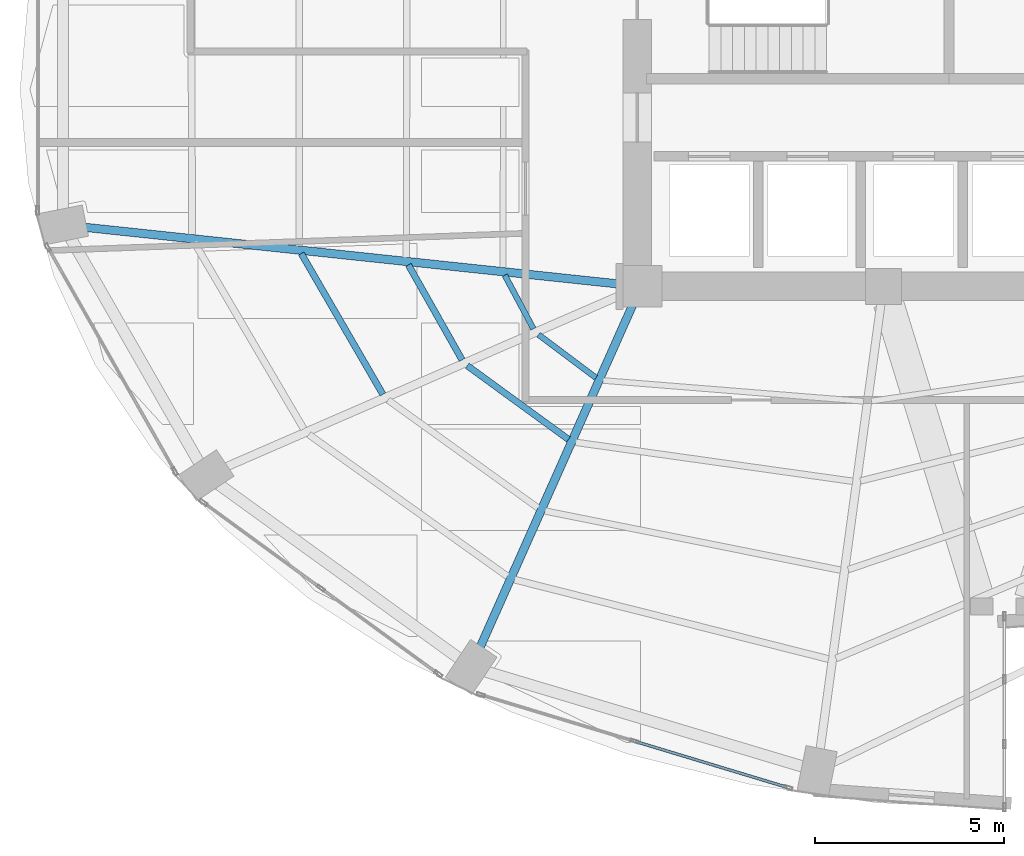
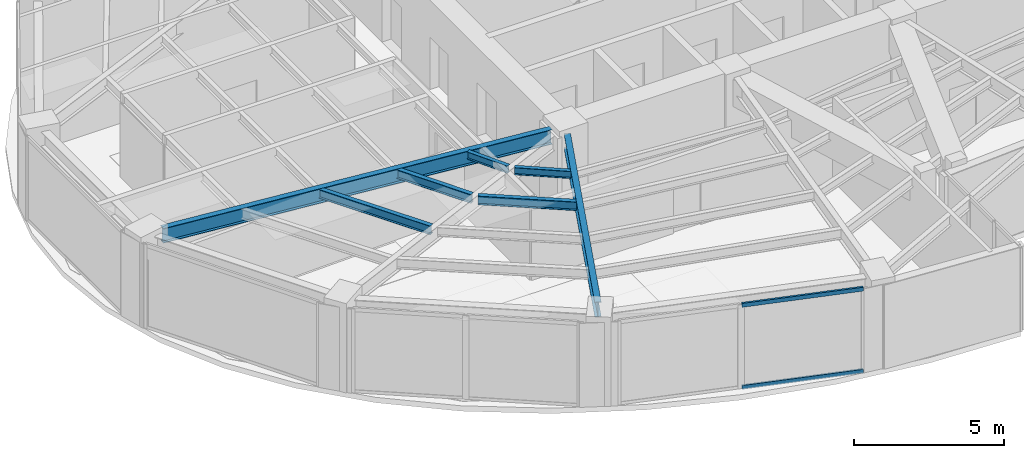
# One storey, part 4 of 24: 7 beams, 2 members, 1 element without a shape of its own.
"""IFC4 building model written with IfcOpenShell, lengths in metres."""

from ifc_helpers import new_model, si_unit, direction, frame, origin, origin_2d, place, context, subcontext, project, spatial, hollow_rectangle, i_section, extrude, material, layer, layer_set, material_profile, profile_set, type_object, element, aggregate, save


model = new_model("IFC4")

# Units and contexts
model_context = context("Model", 3, precision=1e-05, world=origin(), true_north=direction((0.0, 1.0)))
body_context = subcontext(model_context, "Body", "Model", "MODEL_VIEW")
ifc_project = project(units=[si_unit("LENGTHUNIT", "METRE"), si_unit("AREAUNIT", "SQUARE_METRE"), si_unit("VOLUMEUNIT", "CUBIC_METRE"), si_unit("PLANEANGLEUNIT", "RADIAN"), si_unit("MASSUNIT", "GRAM", prefix="KILO")], contexts=[model_context])

# Site, building, storey
site_placement = place(None, origin())
site = spatial("IfcSite", under=ifc_project, at=site_placement, CompositionType="ELEMENT")
building_placement = place(site_placement, origin())
building = spatial("IfcBuilding", under=site, at=building_placement, Name="Lazwardi Medical Tower", CompositionType="ELEMENT")
storey_placement = place(building_placement, frame((0.0, 0.0, 99.98388671875)))
storey = spatial("IfcBuildingStorey", under=building, at=storey_placement, Name="L25", CompositionType="ELEMENT", Elevation=99.98388671875)

# Beams
ifc_material_1 = material(Name="Steel S355", Category="steel")
ifc_material_profile_1 = material_profile(ifc_material_1, i_section(OverallWidth=0.219970703125, OverallDepth=0.60009765625, WebThickness=0.011962890625, FlangeThickness=0.01904296875, at=origin_2d()), Name="IPE 600")
ifc_profile_set_1 = profile_set([ifc_material_profile_1], Name="Steel S355")
beam_type_1 = type_object("IfcBeamType", Name="BM-RG-W1", PredefinedType="BEAM", material=ifc_profile_set_1)
beam_1_placement = place(storey_placement, frame((11.7138671875, 21.958984375, 3.128173828125), z_axis=(0.994413340753, -0.10555618282, 0.0), x_axis=(0.10555618282, 0.994413340753, 0.0)))
element("IfcBeam", 1, at=beam_1_placement, inside=storey, type_object=beam_type_1, Name="Radial girder RG-02 R13 L25", PredefinedType="BEAM", context=body_context, shape_type="SweptSolid", body=[
    extrude(i_section(OverallWidth=0.219970703125, OverallDepth=0.60009765625, WebThickness=0.011962890625, FlangeThickness=0.01904296875, at=origin_2d()), origin(), (0.0, 0.0, 1.0), 14.233642578125),
])
beam_2_placement = place(storey_placement, frame((22.152587890625, 10.872314453125, 3.128173828125), z_axis=(0.407165924957, 0.913354208155, 0.0), x_axis=(-0.913354208155, 0.407165924957, 0.0)))
element("IfcBeam", 2, at=beam_2_placement, inside=storey, type_object=beam_type_1, Name="Radial girder RG-02 R15 L25", PredefinedType="BEAM", context=body_context, shape_type="SweptSolid", body=[
    extrude(i_section(OverallWidth=0.219970703125, OverallDepth=0.60009765625, WebThickness=0.011962890625, FlangeThickness=0.01904296875, at=origin_2d()), origin(), (0.0, 0.0, 1.0), 9.896484375),
])
ifc_material_profile_2 = material_profile(ifc_material_1, i_section(OverallWidth=0.169921875, OverallDepth=0.360107421875, WebThickness=0.008056640625, FlangeThickness=0.0126953125, at=origin_2d()), Name="IPE 360")
ifc_profile_set_2 = profile_set([ifc_material_profile_2], Name="Steel S355")
beam_type_2 = type_object("IfcBeamType", Name="BM-SJ-02", PredefinedType="JOIST", material=ifc_profile_set_2)
beam_3_placement = place(storey_placement, frame((17.42822265625, 21.26708984375, 3.248046875), z_axis=(0.501365325212, -0.865235696602, 0.0), x_axis=(0.865235696602, 0.501365325212, 0.0)))
element("IfcBeam", 3, at=beam_3_placement, inside=storey, type_object=beam_type_2, Name="Secondary joist SJ-02 R2 B13 L25", PredefinedType="JOIST", context=body_context, shape_type="SweptSolid", body=[
    extrude(i_section(OverallWidth=0.169921875, OverallDepth=0.360107421875, WebThickness=0.008056640625, FlangeThickness=0.0126953125, at=origin_2d()), origin(), (0.0, 0.0, 1.0), 4.298828125),
])
beam_4_placement = place(storey_placement, frame((20.258056640625, 20.966064453125, 3.248046875), z_axis=(0.492026539517, -0.870580199873, 0.0), x_axis=(0.870580199873, 0.492026539517, 0.0)))
element("IfcBeam", 4, at=beam_4_placement, inside=storey, type_object=beam_type_2, Name="Secondary joist SJ-02 R3 B13 L25", PredefinedType="JOIST", context=body_context, shape_type="SweptSolid", body=[
    extrude(i_section(OverallWidth=0.169921875, OverallDepth=0.360107421875, WebThickness=0.008056640625, FlangeThickness=0.0126953125, at=origin_2d()), origin(), (0.0, 0.0, 1.0), 2.880859375),
])
beam_5_placement = place(storey_placement, frame((21.81201171875, 18.3046875, 3.248046875), z_axis=(0.808301737247, -0.588768461761, 0.0), x_axis=(0.588768461761, 0.808301737247, 0.0)))
element("IfcBeam", 5, at=beam_5_placement, inside=storey, type_object=beam_type_2, Name="Secondary joist SJ-02 R3 B14 L25", PredefinedType="JOIST", context=body_context, shape_type="SweptSolid", body=[
    extrude(i_section(OverallWidth=0.169921875, OverallDepth=0.360107421875, WebThickness=0.008056640625, FlangeThickness=0.0126953125, at=origin_2d()), origin(), (0.0, 0.0, 1.0), 3.307373046875),
])
ifc_material_profile_3 = material_profile(ifc_material_1, i_section(OverallWidth=0.14990234375, OverallDepth=0.300048828125, WebThickness=0.007080078125, FlangeThickness=0.0107421875, at=origin_2d()), Name="IPE 300")
ifc_profile_set_3 = profile_set([ifc_material_profile_3], Name="Steel S355")
beam_type_3 = type_object("IfcBeamType", Name="BM-SJ-03", PredefinedType="JOIST", material=ifc_profile_set_3)
beam_6_placement = place(storey_placement, frame((22.8037109375, 20.6943359375, 3.278076171875), z_axis=(0.471022344925, -0.882121278839, 0.0), x_axis=(0.882121278839, 0.471022344925, 0.0)))
element("IfcBeam", 6, at=beam_6_placement, inside=storey, type_object=beam_type_3, Name="Secondary joist SJ-03 R4 B13 L25", PredefinedType="JOIST", context=body_context, shape_type="SweptSolid", body=[
    extrude(i_section(OverallWidth=0.14990234375, OverallDepth=0.300048828125, WebThickness=0.007080078125, FlangeThickness=0.0107421875, at=origin_2d()), origin(), (0.0, 0.0, 1.0), 1.605224609375),
])
beam_7_placement = place(storey_placement, frame((23.693359375, 19.12255859375, 3.278076171875), z_axis=(0.800447687995, -0.599402618265, 0.0), x_axis=(0.599402618265, 0.800447687995, 0.0)))
element("IfcBeam", 7, at=beam_7_placement, inside=storey, type_object=beam_type_3, Name="Secondary joist SJ-03 R4 B14 L25", PredefinedType="JOIST", context=body_context, shape_type="SweptSolid", body=[
    extrude(i_section(OverallWidth=0.14990234375, OverallDepth=0.300048828125, WebThickness=0.007080078125, FlangeThickness=0.0107421875, at=origin_2d()), origin(), (0.0, 0.0, 1.0), 1.896728515625),
])

# Curtain wall, members
ifc_material_2 = material(Name="Anodised bronze aluminium and solar control glazing", Category="aluminium")
ifc_layer = layer(ifc_material_2, 0.195068359375)
ifc_layer_set = layer_set([ifc_layer], Name="Anodised bronze aluminium and solar control glazing")
curtain_wall_type = type_object("IfcCurtainWallType", Name="CW-SYS-03", PredefinedType="NOTDEFINED", material=ifc_layer_set)
curtain_wall_placement = place(storey_placement, origin())
curtain_wall = element("IfcCurtainWall", 8, at=curtain_wall_placement, inside=storey, type_object=curtain_wall_type, Name="L25 Unitised bronze curtain wall CW-03", PredefinedType="NOTDEFINED")
ifc_material_3 = material(Name="Anodised bronze aluminium", Category="aluminium")
ifc_material_profile_4 = material_profile(ifc_material_3, hollow_rectangle(XDim=0.074951171875, YDim=0.159912109375, WallThickness=0.00390625, at=origin_2d()), Name="ALU-TRANSOM 160x75x4")
ifc_profile_set_4 = profile_set([ifc_material_profile_4], Name="Anodised bronze aluminium")
member_type = type_object("IfcMemberType", Name="CW-TRN-01", PredefinedType="USERDEFINED", material=ifc_profile_set_4)
member_1_placement = place(storey_placement, frame((26.2666015625, 8.3759765625, 0.03759765625), z_axis=(0.957220865985, -0.289358279168, 0.0), x_axis=(0.289358279168, 0.957220865985, 0.0)))
member_1 = element("IfcMember", 9, at=member_1_placement, type_object=member_type, Name="CW-03 transom 2.1", ObjectType="TRANSOM", PredefinedType="USERDEFINED", context=body_context, shape_type="SweptSolid", body=[
    extrude(hollow_rectangle(XDim=0.074951171875, YDim=0.159912109375, WallThickness=0.00390625, at=origin_2d()), origin(), (0.0, 0.0, 1.0), 4.16552734375),
])
member_2_placement = place(storey_placement, frame((26.2666015625, 8.3759765625, 3.390625), z_axis=(0.957220865985, -0.289358279168, 0.0), x_axis=(0.289358279168, 0.957220865985, 0.0)))
member_2 = element("IfcMember", 10, at=member_2_placement, type_object=member_type, Name="CW-03 transom 2.2", ObjectType="TRANSOM", PredefinedType="USERDEFINED", context=body_context, shape_type="SweptSolid", body=[
    extrude(hollow_rectangle(XDim=0.074951171875, YDim=0.159912109375, WallThickness=0.00390625, at=origin_2d()), origin(), (0.0, 0.0, 1.0), 4.16552734375),
])
aggregate(curtain_wall, [member_1, member_2])

save(model, "model.ifc")
